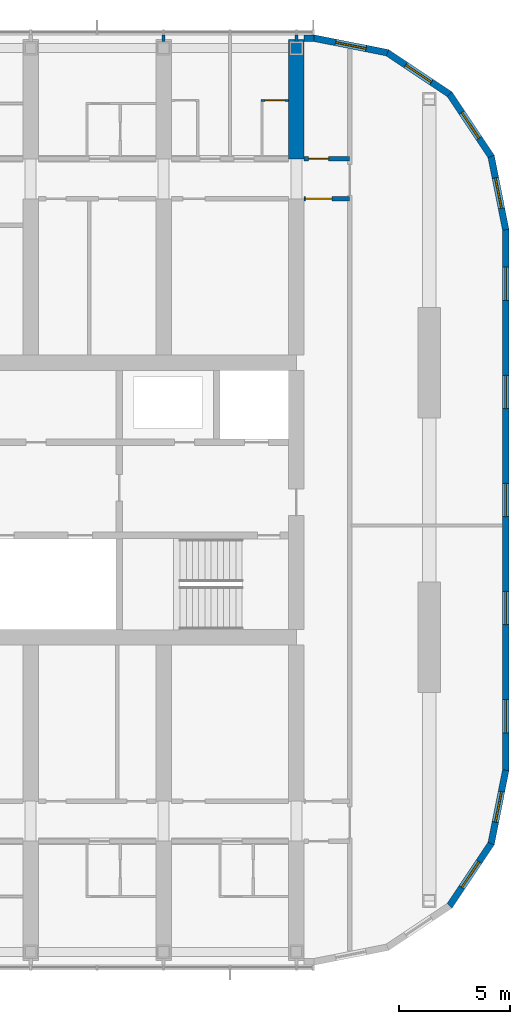
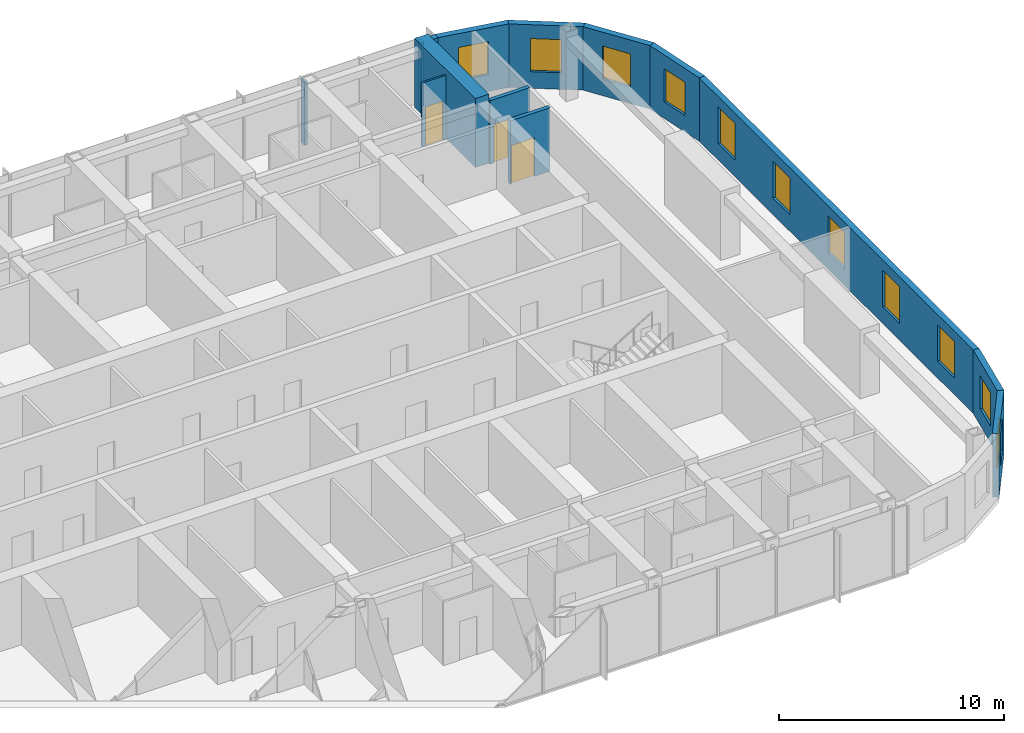
# One storey, part 18 of 23: 14 walls, 11 windows, 3 doors, 14 openings.
"""IFC4 building model written with IfcOpenShell, lengths in metres."""

from ifc_helpers import new_model, si_unit, direction, frame, frame_2d, origin, place, context, subcontext, project, spatial, polyline, rectangle, outline, extrude, material, layer, layer_set, type_object, element, fill, save


model = new_model("IFC4")

# Units and contexts
model_context = context("Model", 3, precision=1e-05, world=origin(), true_north=direction((0.0, 1.0)))
body_context = subcontext(model_context, "Body", "Model", "MODEL_VIEW")
ifc_project = project(units=[si_unit("LENGTHUNIT", "METRE"), si_unit("AREAUNIT", "SQUARE_METRE"), si_unit("VOLUMEUNIT", "CUBIC_METRE"), si_unit("PLANEANGLEUNIT", "RADIAN"), si_unit("MASSUNIT", "GRAM", prefix="KILO")], contexts=[model_context])

# Site, building, storey
site_placement = place(None, origin())
site = spatial("IfcSite", under=ifc_project, at=site_placement, CompositionType="ELEMENT")
building_placement = place(site_placement, origin())
building = spatial("IfcBuilding", under=site, at=building_placement, Name="Orbita Commons", CompositionType="ELEMENT")
storey_placement = place(building_placement, frame((0.0, 0.0, 254.050048828125)))
storey = spatial("IfcBuildingStorey", under=building, at=storey_placement, Name="L63", CompositionType="ELEMENT", Elevation=254.050048828125)

# Wall, opening, door
ifc_material_1 = material(Name="Concrete blockwork", Category="masonry")
ifc_layer_1 = layer(ifc_material_1, 0.199951171875)
ifc_layer_set_1 = layer_set([ifc_layer_1], Name="Concrete blockwork")
wall_type_1 = type_object("IfcWallType", Name="Corridor wall 200 blockwork", PredefinedType="SOLIDWALL", material=ifc_layer_set_1)
wall_1_placement = place(storey_placement, frame((66.35009765625, 47.39990234375, 0.0), z_axis=(0.0, 0.0, 1.0), x_axis=(1.0, 0.0, 0.0)))
wall_1 = element("IfcWall", 1, at=wall_1_placement, inside=storey, type_object=wall_type_1, Name="Corridor wall 200 blockwork L63", PredefinedType="SOLIDWALL", context=body_context, shape_type="SweptSolid", body=[
    extrude(rectangle(XDim=2.0498046875, YDim=0.199951171875, at=frame_2d((1.02490234375, 0.0))), origin(), (0.0, 0.0, 1.0), 3.449951171875),
])
opening_1_placement = place(wall_1_placement, frame((0.199951171875, 0.0, 0.0)))
opening_1 = element("IfcOpeningElement", 2, at=opening_1_placement, cuts=wall_1, Name="Opening D05", PredefinedType="OPENING", context=body_context, shape_type="SweptSolid", body=[
    extrude(rectangle(XDim=0.89990234375, YDim=2.10009765625, at=frame_2d((0.449951171875, 1.050048828125))), frame((0.0, 0.10986328125, 0.0), z_axis=(0.0, -1.0, 0.0), x_axis=(1.0, 0.0, 0.0)), (0.0, 0.0, 1.0), 0.219970703125),
])
ifc_material_2 = material(Name="Steel-faced fire door leaf", Category="steel")
door_type_1 = type_object("IfcDoorType", Name="Service door 20 min 900x2100", OperationType="SINGLE_SWING_LEFT", PredefinedType="DOOR", material=ifc_material_2)
door_1_placement = place(opening_1_placement, origin())
door_1 = element("IfcDoor", 3, at=door_1_placement, inside=storey, type_object=door_type_1, Name="Linen store L63-KEN door", OperationType="SINGLE_SWING_LEFT", OverallHeight=2.10009765625, OverallWidth=0.89990234375, PredefinedType="DOOR", context=body_context, shape_type="SweptSolid", body=[
    extrude(rectangle(XDim=0.89990234375, YDim=2.10009765625, at=frame_2d((0.449951171875, 1.050048828125))), frame((0.0, 0.02490234375, 0.0), z_axis=(0.0, -1.0, 0.0), x_axis=(1.0, 0.0, 0.0)), (0.0, 0.0, 1.0), 0.050048828125),
])
fill(opening_1, door_1)

ifc_material_3 = material(Name="Hollow concrete block 200", Category="concrete")
ifc_layer_2 = layer(ifc_material_3, 0.199951171875)
ifc_layer_set_2 = layer_set([ifc_layer_2], Name="Hollow concrete block 200")
wall_type_2 = type_object("IfcWallType", Name="Corridor wall 200 hollow concrete block", PredefinedType="SOLIDWALL", material=ifc_layer_set_2)
wall_2_placement = place(storey_placement, frame((66.35009765625, 45.60009765625, 0.0), z_axis=(0.0, 0.0, 1.0), x_axis=(1.0, 0.0, 0.0)))
wall_2 = element("IfcWall", 4, at=wall_2_placement, inside=storey, type_object=wall_type_2, Name="Corridor wall 200 hollow concrete block L63", PredefinedType="SOLIDWALL", context=body_context, shape_type="SweptSolid", body=[
    extrude(rectangle(XDim=2.0498046875, YDim=0.199951171875, at=frame_2d((1.02490234375, 0.0))), origin(), (0.0, 0.0, 1.0), 3.449951171875),
])
opening_2_placement = place(wall_2_placement, frame((0.050048828125, 0.0, 0.0)))
opening_2 = element("IfcOpeningElement", 5, at=opening_2_placement, cuts=wall_2, Name="Opening D12", PredefinedType="OPENING", context=body_context, shape_type="SweptSolid", body=[
    extrude(rectangle(XDim=1.199951171875, YDim=2.10009765625, at=frame_2d((0.60009765625, 1.050048828125))), frame((0.0, 0.10986328125, 0.0), z_axis=(0.0, -1.0, 0.0), x_axis=(1.0, 0.0, 0.0)), (0.0, 0.0, 1.0), 0.219970703125),
])
ifc_material_4 = material(Name="Steel-faced fire door leaf", Category="steel")
door_type_2 = type_object("IfcDoorType", Name="Double corridor door 20 min 1200x2100", OperationType="DOUBLE_DOOR_SINGLE_SWING", PredefinedType="DOOR", material=ifc_material_4)
door_2_placement = place(opening_2_placement, origin())
door_2 = element("IfcDoor", 6, at=door_2_placement, inside=storey, type_object=door_type_2, Name="Cross corridor doors", OperationType="DOUBLE_DOOR_SINGLE_SWING", OverallHeight=2.10009765625, OverallWidth=1.199951171875, PredefinedType="DOOR", context=body_context, shape_type="SweptSolid", body=[
    extrude(rectangle(XDim=1.199951171875, YDim=2.10009765625, at=frame_2d((0.60009765625, 1.050048828125))), frame((0.0, 0.02490234375, 0.0), z_axis=(0.0, -1.0, 0.0), x_axis=(1.0, 0.0, 0.0)), (0.0, 0.0, 1.0), 0.050048828125),
])
fill(opening_2, door_2)

# Wall
ifc_material_5 = material(Name="Concrete C50/60", Category="concrete")
ifc_layer_3 = layer(ifc_material_5, 0.699951171875)
ifc_layer_set_3 = layer_set([ifc_layer_3], Name="Concrete C50/60")
wall_type_3 = type_object("IfcWallType", Name="Cross wall 700 C50/60", PredefinedType="SHEAR", material=ifc_layer_set_3)
wall_3_placement = place(storey_placement, frame((66.0, 47.39990234375, 0.0), z_axis=(0.0, 0.0, 1.0), x_axis=(0.0, 1.0, 0.0)))
element("IfcWall", 7, at=wall_3_placement, inside=storey, type_object=wall_type_3, Name="Cross wall 12 north outer L63", PredefinedType="SHEAR", context=body_context, shape_type="SweptSolid", body=[
    extrude(rectangle(XDim=5.400146484375, YDim=0.699951171875, at=frame_2d((2.7001953125, 0.0))), origin(), (0.0, 0.0, 1.0), 3.75),
])

# Wall, opening, door
ifc_material_6 = material(Name="Moisture-resistant plasterboard on steel studs", Category="steel")
ifc_layer_4 = layer(ifc_material_6, 0.10009765625)
ifc_layer_set_4 = layer_set([ifc_layer_4], Name="Moisture-resistant plasterboard on steel studs")
wall_type_4 = type_object("IfcWallType", Name="En-suite partition 100", PredefinedType="PARTITIONING", material=ifc_layer_set_4)
wall_4_placement = place(storey_placement, frame((64.39990234375, 50.041748046875, 0.0), z_axis=(0.0, 0.0, 1.0), x_axis=(1.0, 0.0, 0.0)))
wall_4 = element("IfcWall", 8, at=wall_4_placement, inside=storey, type_object=wall_type_4, Name="En-suite partition 100 L63", PredefinedType="PARTITIONING", context=body_context, shape_type="SweptSolid", body=[
    extrude(rectangle(XDim=1.25, YDim=0.10009765625, at=frame_2d((0.625, 0.0))), origin(), (0.0, 0.0, 1.0), 3.449951171875),
])
opening_3_placement = place(wall_4_placement, frame((0.175048828125, 0.0, 0.0)))
opening_3 = element("IfcOpeningElement", 9, at=opening_3_placement, cuts=wall_4, Name="Opening D09", PredefinedType="OPENING", context=body_context, shape_type="SweptSolid", body=[
    extrude(rectangle(XDim=0.89990234375, YDim=2.10009765625, at=frame_2d((0.449951171875, 1.050048828125))), frame((0.0, 0.06005859375, 0.0), z_axis=(0.0, -1.0, 0.0), x_axis=(1.0, 0.0, 0.0)), (0.0, 0.0, 1.0), 0.1201171875),
])
ifc_material_7 = material(Name="Laminated timber door leaf", Category="wood")
door_type_3 = type_object("IfcDoorType", Name="En-suite door 900x2100", OperationType="SINGLE_SWING_RIGHT", PredefinedType="DOOR", material=ifc_material_7)
door_3_placement = place(opening_3_placement, origin())
door_3 = element("IfcDoor", 10, at=door_3_placement, inside=storey, type_object=door_type_3, Name="En-suite L63-N15 door", OperationType="SINGLE_SWING_RIGHT", OverallHeight=2.10009765625, OverallWidth=0.89990234375, PredefinedType="DOOR", context=body_context, shape_type="SweptSolid", body=[
    extrude(rectangle(XDim=0.89990234375, YDim=2.10009765625, at=frame_2d((0.449951171875, 1.050048828125))), frame((0.0, 0.02490234375, 0.0), z_axis=(0.0, -1.0, 0.0), x_axis=(1.0, 0.0, 0.0)), (0.0, 0.0, 1.0), 0.050048828125),
])
fill(opening_3, door_3)

# Walls
ifc_material_8 = material(Name="Gypsum plasterboard on steel studs", Category="steel")
ifc_layer_5 = layer(ifc_material_8, 0.14990234375)
ifc_layer_set_5 = layer_set([ifc_layer_5], Name="Gypsum plasterboard on steel studs")
wall_type_5 = type_object("IfcWallType", Name="Partition 150 plasterboard", PredefinedType="PARTITIONING", material=ifc_layer_set_5)
for number, where, z_axis, x_axis, name in (
    (11, (60.0, 52.699951171875, 0.0), (0.0, 0.0, 1.0), (0.0, 1.0, 0.0), "Partition 150 plasterboard L63"),
    (12, (66.0, 52.699951171875, 0.0), (0.0, 0.0, 1.0), (0.0, 1.0, 0.0), "Partition 150 plasterboard L63"),
):
    element("IfcWall", number, at=place(storey_placement, frame(where, z_axis=z_axis, x_axis=x_axis)), inside=storey, type_object=wall_type_5, Name=name, PredefinedType="PARTITIONING", context=body_context, shape_type="SweptSolid", body=[
        extrude(rectangle(XDim=0.2900390625, YDim=0.14990234375, at=frame_2d((0.14501953125, 0.0))), origin(), (0.0, 0.0, 1.0), 3.449951171875),
    ])

# Wall, openings, windows
ifc_material_9 = material(Name="Precast concrete C40/50, white board-marked finish", Category="concrete")
ifc_layer_6 = layer(ifc_material_9, 0.300048828125)
ifc_layer_set_6 = layer_set([ifc_layer_6], Name="Precast concrete C40/50, white board-marked finish")
wall_type_6 = type_object("IfcWallType", Name="Precast concrete end shield 300", PredefinedType="SOLIDWALL", material=ifc_layer_set_6)
wall_5_placement = place(storey_placement, frame((75.449951171875, 19.800048828125, 0.0), z_axis=(0.0, 0.0, 1.0), x_axis=(0.0, 1.0, 0.0)))
wall_5 = element("IfcWall", 13, at=wall_5_placement, inside=storey, type_object=wall_type_6, Name="End shield E L63", PredefinedType="SOLIDWALL", context=body_context, shape_type="SweptSolid", body=[
    extrude(outline(polyline([(-0.014892578125, -0.14990234375), (24.414794921875, -0.14990234375), (24.385009765625, 0.14990234375), (0.014892578125, 0.14990234375), (-0.014892578125, -0.14990234375)])), origin(), (0.0, 0.0, 1.0), 3.449951171875),
])
opening_4_placement = place(wall_5_placement, frame((1.68994140625, 0.0, 0.89990234375)))
opening_4 = element("IfcOpeningElement", 14, at=opening_4_placement, cuts=wall_5, Name="Opening W01", PredefinedType="OPENING", context=body_context, shape_type="SweptSolid", body=[
    extrude(rectangle(XDim=1.5, YDim=2.0, at=frame_2d((0.75, 1.0))), frame((0.0, 0.159912109375, 0.0), z_axis=(0.0, -1.0, 0.0), x_axis=(1.0, 0.0, 0.0)), (0.0, 0.0, 1.0), 0.320068359375),
])
opening_5_placement = place(wall_5_placement, frame((6.570068359375, 0.0, 0.89990234375)))
opening_5 = element("IfcOpeningElement", 15, at=opening_5_placement, cuts=wall_5, Name="Opening W01", PredefinedType="OPENING", context=body_context, shape_type="SweptSolid", body=[
    extrude(rectangle(XDim=1.5, YDim=2.0, at=frame_2d((0.75, 1.0))), frame((0.0, 0.159912109375, 0.0), z_axis=(0.0, -1.0, 0.0), x_axis=(1.0, 0.0, 0.0)), (0.0, 0.0, 1.0), 0.320068359375),
])
opening_6_placement = place(wall_5_placement, frame((11.449951171875, 0.0, 0.89990234375)))
opening_6 = element("IfcOpeningElement", 16, at=opening_6_placement, cuts=wall_5, Name="Opening W01", PredefinedType="OPENING", context=body_context, shape_type="SweptSolid", body=[
    extrude(rectangle(XDim=1.5, YDim=2.0, at=frame_2d((0.75, 1.0))), frame((0.0, 0.159912109375, 0.0), z_axis=(0.0, -1.0, 0.0), x_axis=(1.0, 0.0, 0.0)), (0.0, 0.0, 1.0), 0.320068359375),
])
opening_7_placement = place(wall_5_placement, frame((16.330078125, 0.0, 0.89990234375)))
opening_7 = element("IfcOpeningElement", 17, at=opening_7_placement, cuts=wall_5, Name="Opening W01", PredefinedType="OPENING", context=body_context, shape_type="SweptSolid", body=[
    extrude(rectangle(XDim=1.5, YDim=2.0, at=frame_2d((0.75, 1.0))), frame((0.0, 0.159912109375, 0.0), z_axis=(0.0, -1.0, 0.0), x_axis=(1.0, 0.0, 0.0)), (0.0, 0.0, 1.0), 0.320068359375),
])
opening_8_placement = place(wall_5_placement, frame((21.2099609375, 0.0, 0.89990234375)))
opening_8 = element("IfcOpeningElement", 18, at=opening_8_placement, cuts=wall_5, Name="Opening W01", PredefinedType="OPENING", context=body_context, shape_type="SweptSolid", body=[
    extrude(rectangle(XDim=1.5, YDim=2.0, at=frame_2d((0.75, 1.0))), frame((0.0, 0.159912109375, 0.0), z_axis=(0.0, -1.0, 0.0), x_axis=(1.0, 0.0, 0.0)), (0.0, 0.0, 1.0), 0.320068359375),
])
ifc_material_10 = material(Name="Aluminium frame, clear double glazing", Category="aluminium")
window_type_1 = type_object("IfcWindowType", Name="Deep-set window 1500x2000", PartitioningType="SINGLE_PANEL", PredefinedType="WINDOW", material=ifc_material_10)
window_1_placement = place(opening_4_placement, origin())
window_1 = element("IfcWindow", 19, at=window_1_placement, inside=storey, type_object=window_type_1, Name="Window L63-E 1", OverallHeight=2.0, OverallWidth=1.5, PartitioningType="SINGLE_PANEL", PredefinedType="WINDOW", context=body_context, shape_type="SweptSolid", body=[
    extrude(rectangle(XDim=1.5, YDim=2.0, at=frame_2d((0.75, 1.0))), frame((0.0, 0.030029296875, 0.0), z_axis=(0.0, -1.0, 0.0), x_axis=(1.0, 0.0, 0.0)), (0.0, 0.0, 1.0), 0.06005859375),
])
fill(opening_4, window_1)
window_2_placement = place(opening_5_placement, origin())
window_2 = element("IfcWindow", 20, at=window_2_placement, inside=storey, type_object=window_type_1, Name="Window L63-E 2", OverallHeight=2.0, OverallWidth=1.5, PartitioningType="SINGLE_PANEL", PredefinedType="WINDOW", context=body_context, shape_type="SweptSolid", body=[
    extrude(rectangle(XDim=1.5, YDim=2.0, at=frame_2d((0.75, 1.0))), frame((0.0, 0.030029296875, 0.0), z_axis=(0.0, -1.0, 0.0), x_axis=(1.0, 0.0, 0.0)), (0.0, 0.0, 1.0), 0.06005859375),
])
fill(opening_5, window_2)
window_3_placement = place(opening_6_placement, origin())
window_3 = element("IfcWindow", 21, at=window_3_placement, inside=storey, type_object=window_type_1, Name="Window L63-E 3", OverallHeight=2.0, OverallWidth=1.5, PartitioningType="SINGLE_PANEL", PredefinedType="WINDOW", context=body_context, shape_type="SweptSolid", body=[
    extrude(rectangle(XDim=1.5, YDim=2.0, at=frame_2d((0.75, 1.0))), frame((0.0, 0.030029296875, 0.0), z_axis=(0.0, -1.0, 0.0), x_axis=(1.0, 0.0, 0.0)), (0.0, 0.0, 1.0), 0.06005859375),
])
fill(opening_6, window_3)
window_4_placement = place(opening_7_placement, origin())
window_4 = element("IfcWindow", 22, at=window_4_placement, inside=storey, type_object=window_type_1, Name="Window L63-E 4", OverallHeight=2.0, OverallWidth=1.5, PartitioningType="SINGLE_PANEL", PredefinedType="WINDOW", context=body_context, shape_type="SweptSolid", body=[
    extrude(rectangle(XDim=1.5, YDim=2.0, at=frame_2d((0.75, 1.0))), frame((0.0, 0.030029296875, 0.0), z_axis=(0.0, -1.0, 0.0), x_axis=(1.0, 0.0, 0.0)), (0.0, 0.0, 1.0), 0.06005859375),
])
fill(opening_7, window_4)
window_5_placement = place(opening_8_placement, origin())
window_5 = element("IfcWindow", 23, at=window_5_placement, inside=storey, type_object=window_type_1, Name="Window L63-E 5", OverallHeight=2.0, OverallWidth=1.5, PartitioningType="SINGLE_PANEL", PredefinedType="WINDOW", context=body_context, shape_type="SweptSolid", body=[
    extrude(rectangle(XDim=1.5, YDim=2.0, at=frame_2d((0.75, 1.0))), frame((0.0, 0.030029296875, 0.0), z_axis=(0.0, -1.0, 0.0), x_axis=(1.0, 0.0, 0.0)), (0.0, 0.0, 1.0), 0.06005859375),
])
fill(opening_8, window_5)

# Wall, opening, window
wall_6_placement = place(storey_placement, frame((72.91650390625, 13.68359375, 0.0), z_axis=(0.0, 0.0, 1.0), x_axis=(0.555567969291, 0.831471124873, 0.0)))
wall_6 = element("IfcWall", 24, at=wall_6_placement, inside=storey, type_object=wall_type_6, Name="End shield SE chord 3 L63", PredefinedType="SOLIDWALL", context=body_context, shape_type="SweptSolid", body=[
    extrude(outline(polyline([(-0.02978515625, -0.14990234375), (3.40478515625, -0.14990234375), (3.34521484375, 0.14990234375), (0.02978515625, 0.14990234375), (-0.02978515625, -0.14990234375)])), origin(), (0.0, 0.0, 1.0), 3.449951171875),
])
opening_9_placement = place(wall_6_placement, frame((0.987548828125, 0.0, 0.89990234375)))
opening_9 = element("IfcOpeningElement", 25, at=opening_9_placement, cuts=wall_6, Name="Opening W02", PredefinedType="OPENING", context=body_context, shape_type="SweptSolid", body=[
    extrude(rectangle(XDim=1.39990234375, YDim=1.800048828125, at=frame_2d((0.699951171875, 0.89990234375))), frame((0.0, 0.159912109375, 0.0), z_axis=(0.0, -1.0, 0.0), x_axis=(1.0, 0.0, 0.0)), (0.0, 0.0, 1.0), 0.320068359375),
])
ifc_material_11 = material(Name="Aluminium frame, clear double glazing", Category="aluminium")
window_type_2 = type_object("IfcWindowType", Name="Deep-set window 1400x1800", PartitioningType="SINGLE_PANEL", PredefinedType="WINDOW", material=ifc_material_11)
window_6_placement = place(opening_9_placement, origin())
window_6 = element("IfcWindow", 26, at=window_6_placement, inside=storey, type_object=window_type_2, Name="Window L63-SE2", OverallHeight=1.800048828125, OverallWidth=1.39990234375, PartitioningType="SINGLE_PANEL", PredefinedType="WINDOW", context=body_context, shape_type="SweptSolid", body=[
    extrude(rectangle(XDim=1.39990234375, YDim=1.800048828125, at=frame_2d((0.699951171875, 0.89990234375))), frame((0.0, 0.030029296875, 0.0), z_axis=(0.0, -1.0, 0.0), x_axis=(1.0, 0.0, 0.0)), (0.0, 0.0, 1.0), 0.06005859375),
])
fill(opening_9, window_6)

wall_7_placement = place(storey_placement, frame((74.79150390625, 16.48974609375, 0.0), z_axis=(0.0, 0.0, 1.0), x_axis=(0.19508664885, 0.980786011034, 0.0)))
wall_7 = element("IfcWall", 27, at=wall_7_placement, inside=storey, type_object=wall_type_6, Name="End shield SE chord 4 L63", PredefinedType="SOLIDWALL", context=body_context, shape_type="SweptSolid", body=[
    extrude(outline(polyline([(-0.02978515625, -0.14990234375), (3.39013671875, -0.14990234375), (3.3603515625, 0.14990234375), (0.02978515625, 0.14990234375), (-0.02978515625, -0.14990234375)])), origin(), (0.0, 0.0, 1.0), 3.449951171875),
])
opening_10_placement = place(wall_7_placement, frame((0.987548828125, 0.0, 0.89990234375)))
opening_10 = element("IfcOpeningElement", 28, at=opening_10_placement, cuts=wall_7, Name="Opening W02", PredefinedType="OPENING", context=body_context, shape_type="SweptSolid", body=[
    extrude(rectangle(XDim=1.39990234375, YDim=1.800048828125, at=frame_2d((0.699951171875, 0.89990234375))), frame((0.0, 0.159912109375, 0.0), z_axis=(0.0, -1.0, 0.0), x_axis=(1.0, 0.0, 0.0)), (0.0, 0.0, 1.0), 0.320068359375),
])
window_7_placement = place(opening_10_placement, origin())
window_7 = element("IfcWindow", 29, at=window_7_placement, inside=storey, type_object=window_type_2, Name="Window L63-SE3", OverallHeight=1.800048828125, OverallWidth=1.39990234375, PartitioningType="SINGLE_PANEL", PredefinedType="WINDOW", context=body_context, shape_type="SweptSolid", body=[
    extrude(rectangle(XDim=1.39990234375, YDim=1.800048828125, at=frame_2d((0.699951171875, 0.89990234375))), frame((0.0, 0.030029296875, 0.0), z_axis=(0.0, -1.0, 0.0), x_axis=(1.0, 0.0, 0.0)), (0.0, 0.0, 1.0), 0.06005859375),
])
fill(opening_10, window_7)

wall_8_placement = place(storey_placement, frame((75.449951171875, 44.199951171875, 0.0), z_axis=(0.0, 0.0, 1.0), x_axis=(-0.19508664885, 0.980786011034, 0.0)))
wall_8 = element("IfcWall", 30, at=wall_8_placement, inside=storey, type_object=wall_type_6, Name="End shield NE chord 1 L63", PredefinedType="SOLIDWALL", context=body_context, shape_type="SweptSolid", body=[
    extrude(outline(polyline([(-0.014892578125, -0.14990234375), (3.405029296875, -0.14990234375), (3.345458984375, 0.14990234375), (0.014892578125, 0.14990234375), (-0.014892578125, -0.14990234375)])), origin(), (0.0, 0.0, 1.0), 3.449951171875),
])
opening_11_placement = place(wall_8_placement, frame((0.987548828125, 0.0, 0.89990234375)))
opening_11 = element("IfcOpeningElement", 31, at=opening_11_placement, cuts=wall_8, Name="Opening W02", PredefinedType="OPENING", context=body_context, shape_type="SweptSolid", body=[
    extrude(rectangle(XDim=1.39990234375, YDim=1.800048828125, at=frame_2d((0.699951171875, 0.89990234375))), frame((0.0, 0.159912109375, 0.0), z_axis=(0.0, -1.0, 0.0), x_axis=(1.0, 0.0, 0.0)), (0.0, 0.0, 1.0), 0.320068359375),
])
window_8_placement = place(opening_11_placement, origin())
window_8 = element("IfcWindow", 32, at=window_8_placement, inside=storey, type_object=window_type_2, Name="Window L63-NE0", OverallHeight=1.800048828125, OverallWidth=1.39990234375, PartitioningType="SINGLE_PANEL", PredefinedType="WINDOW", context=body_context, shape_type="SweptSolid", body=[
    extrude(rectangle(XDim=1.39990234375, YDim=1.800048828125, at=frame_2d((0.699951171875, 0.89990234375))), frame((0.0, 0.030029296875, 0.0), z_axis=(0.0, -1.0, 0.0), x_axis=(1.0, 0.0, 0.0)), (0.0, 0.0, 1.0), 0.06005859375),
])
fill(opening_11, window_8)

wall_9_placement = place(storey_placement, frame((74.79150390625, 47.51025390625, 0.0), z_axis=(0.0, 0.0, 1.0), x_axis=(-0.555567969291, 0.831471124873, 0.0)))
wall_9 = element("IfcWall", 33, at=wall_9_placement, inside=storey, type_object=wall_type_6, Name="End shield NE chord 2 L63", PredefinedType="SOLIDWALL", context=body_context, shape_type="SweptSolid", body=[
    extrude(outline(polyline([(-0.02978515625, -0.14990234375), (3.40478515625, -0.14990234375), (3.34521484375, 0.14990234375), (0.02978515625, 0.14990234375), (-0.02978515625, -0.14990234375)])), origin(), (0.0, 0.0, 1.0), 3.449951171875),
])
opening_12_placement = place(wall_9_placement, frame((0.987548828125, 0.0, 0.89990234375)))
opening_12 = element("IfcOpeningElement", 34, at=opening_12_placement, cuts=wall_9, Name="Opening W02", PredefinedType="OPENING", context=body_context, shape_type="SweptSolid", body=[
    extrude(rectangle(XDim=1.39990234375, YDim=1.800048828125, at=frame_2d((0.699951171875, 0.89990234375))), frame((0.0, 0.159912109375, 0.0), z_axis=(0.0, -1.0, 0.0), x_axis=(1.0, 0.0, 0.0)), (0.0, 0.0, 1.0), 0.320068359375),
])
window_9_placement = place(opening_12_placement, origin())
window_9 = element("IfcWindow", 35, at=window_9_placement, inside=storey, type_object=window_type_2, Name="Window L63-NE1", OverallHeight=1.800048828125, OverallWidth=1.39990234375, PartitioningType="SINGLE_PANEL", PredefinedType="WINDOW", context=body_context, shape_type="SweptSolid", body=[
    extrude(rectangle(XDim=1.39990234375, YDim=1.800048828125, at=frame_2d((0.699951171875, 0.89990234375))), frame((0.0, 0.030029296875, 0.0), z_axis=(0.0, -1.0, 0.0), x_axis=(1.0, 0.0, 0.0)), (0.0, 0.0, 1.0), 0.06005859375),
])
fill(opening_12, window_9)

wall_10_placement = place(storey_placement, frame((72.91650390625, 50.31640625, 0.0), z_axis=(0.0, 0.0, 1.0), x_axis=(-0.831460037396, 0.555584562613, 0.0)))
wall_10 = element("IfcWall", 36, at=wall_10_placement, inside=storey, type_object=wall_type_6, Name="End shield NE chord 3 L63", PredefinedType="SOLIDWALL", context=body_context, shape_type="SweptSolid", body=[
    extrude(outline(polyline([(-0.02978515625, -0.14990234375), (3.405029296875, -0.14990234375), (3.345458984375, 0.14990234375), (0.02978515625, 0.14990234375), (-0.02978515625, -0.14990234375)])), origin(), (0.0, 0.0, 1.0), 3.449951171875),
])
opening_13_placement = place(wall_10_placement, frame((0.987548828125, 0.0, 0.89990234375)))
opening_13 = element("IfcOpeningElement", 37, at=opening_13_placement, cuts=wall_10, Name="Opening W02", PredefinedType="OPENING", context=body_context, shape_type="SweptSolid", body=[
    extrude(rectangle(XDim=1.39990234375, YDim=1.800048828125, at=frame_2d((0.699951171875, 0.89990234375))), frame((0.0, 0.159912109375, 0.0), z_axis=(0.0, -1.0, 0.0), x_axis=(1.0, 0.0, 0.0)), (0.0, 0.0, 1.0), 0.320068359375),
])
window_10_placement = place(opening_13_placement, origin())
window_10 = element("IfcWindow", 38, at=window_10_placement, inside=storey, type_object=window_type_2, Name="Window L63-NE2", OverallHeight=1.800048828125, OverallWidth=1.39990234375, PartitioningType="SINGLE_PANEL", PredefinedType="WINDOW", context=body_context, shape_type="SweptSolid", body=[
    extrude(rectangle(XDim=1.39990234375, YDim=1.800048828125, at=frame_2d((0.699951171875, 0.89990234375))), frame((0.0, 0.030029296875, 0.0), z_axis=(0.0, -1.0, 0.0), x_axis=(1.0, 0.0, 0.0)), (0.0, 0.0, 1.0), 0.06005859375),
])
fill(opening_13, window_10)

wall_11_placement = place(storey_placement, frame((70.110107421875, 52.191650390625, 0.0), z_axis=(0.0, 0.0, 1.0), x_axis=(-0.98078325777, 0.195100490205, 0.0)))
wall_11 = element("IfcWall", 39, at=wall_11_placement, inside=storey, type_object=wall_type_6, Name="End shield NE chord 4 L63", PredefinedType="SOLIDWALL", context=body_context, shape_type="SweptSolid", body=[
    extrude(outline(polyline([(-0.02978515625, -0.14990234375), (3.40478515625, -0.14990234375), (3.34521484375, 0.14990234375), (0.02978515625, 0.14990234375), (-0.02978515625, -0.14990234375)])), origin(), (0.0, 0.0, 1.0), 3.449951171875),
])
opening_14_placement = place(wall_11_placement, frame((0.987548828125, 0.0, 0.89990234375)))
opening_14 = element("IfcOpeningElement", 40, at=opening_14_placement, cuts=wall_11, Name="Opening W02", PredefinedType="OPENING", context=body_context, shape_type="SweptSolid", body=[
    extrude(rectangle(XDim=1.39990234375, YDim=1.800048828125, at=frame_2d((0.699951171875, 0.89990234375))), frame((0.0, 0.159912109375, 0.0), z_axis=(0.0, -1.0, 0.0), x_axis=(1.0, 0.0, 0.0)), (0.0, 0.0, 1.0), 0.320068359375),
])
window_11_placement = place(opening_14_placement, origin())
window_11 = element("IfcWindow", 41, at=window_11_placement, inside=storey, type_object=window_type_2, Name="Window L63-NE3", OverallHeight=1.800048828125, OverallWidth=1.39990234375, PartitioningType="SINGLE_PANEL", PredefinedType="WINDOW", context=body_context, shape_type="SweptSolid", body=[
    extrude(rectangle(XDim=1.39990234375, YDim=1.800048828125, at=frame_2d((0.699951171875, 0.89990234375))), frame((0.0, 0.030029296875, 0.0), z_axis=(0.0, -1.0, 0.0), x_axis=(1.0, 0.0, 0.0)), (0.0, 0.0, 1.0), 0.06005859375),
])
fill(opening_14, window_11)

# Wall
wall_12_placement = place(storey_placement, frame((66.800048828125, 52.85009765625, 0.0), z_axis=(0.0, 0.0, 1.0), x_axis=(-1.0, 0.0, 0.0)))
element("IfcWall", 42, at=wall_12_placement, inside=storey, type_object=wall_type_6, Name="End shield NE closer L63", PredefinedType="SOLIDWALL", context=body_context, shape_type="SweptSolid", body=[
    extrude(rectangle(XDim=0.449951171875, YDim=0.300048828125, at=frame_2d((0.22509765625, 0.0))), origin(), (0.0, 0.0, 1.0), 3.449951171875),
])

save(model, "model.ifc")
